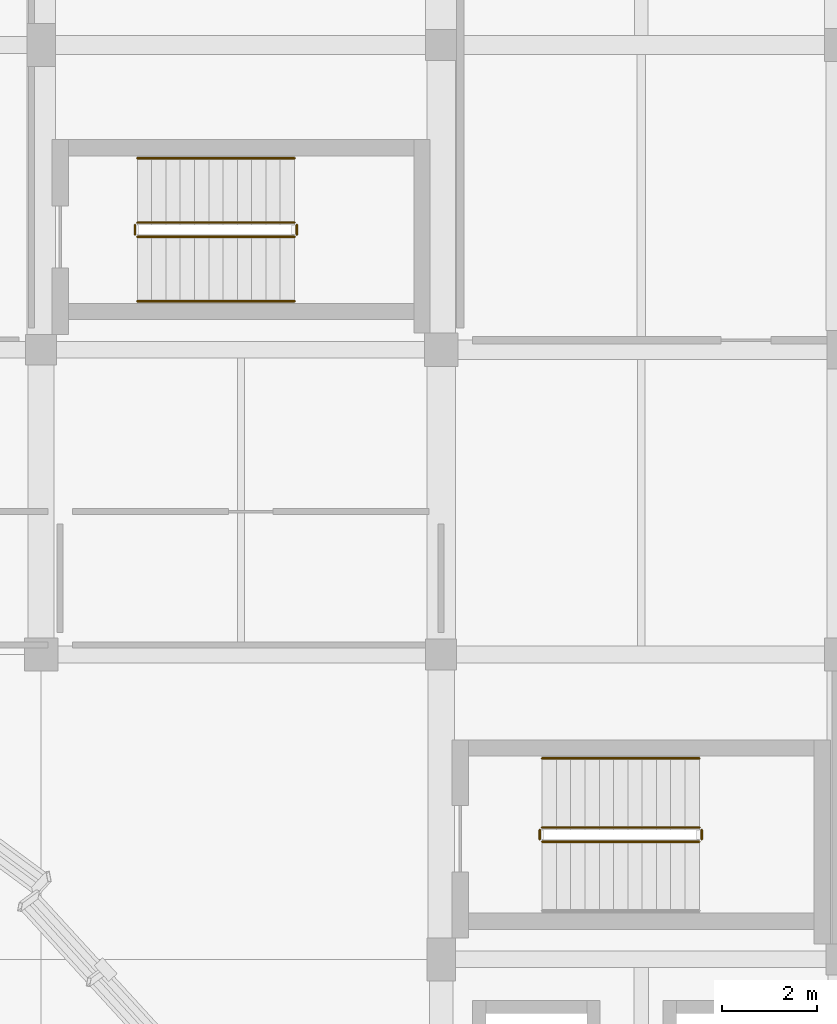
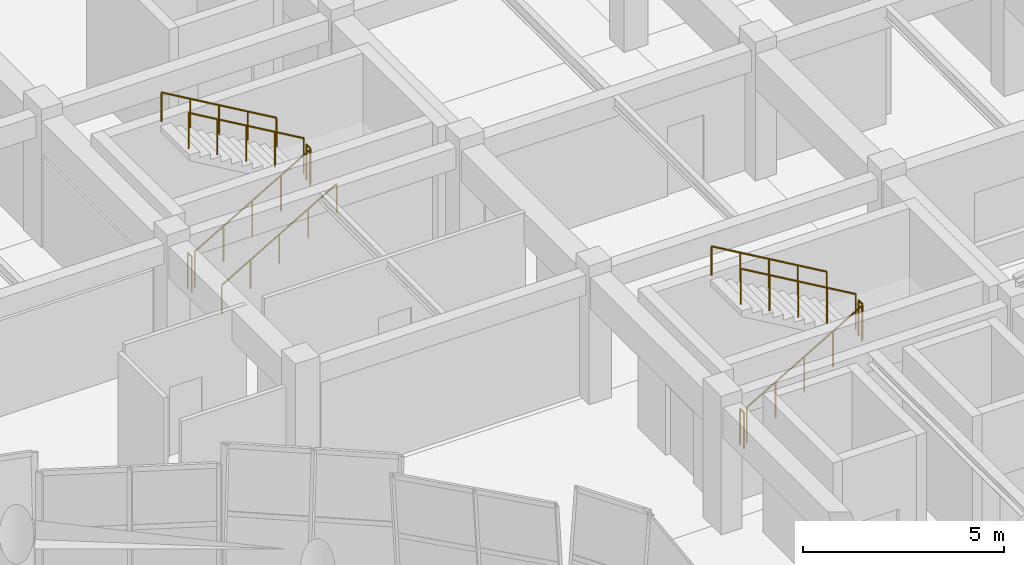
# One storey, part 73 of 74: 11 railings.
"""IFC4 building model written with IfcOpenShell, lengths in metres."""

from ifc_helpers import new_model, si_unit, direction, frame, origin, origin_2d, place, context, subcontext, project, spatial, circle, extrude, material, type_object, element, save


model = new_model("IFC4")

# Units and contexts
model_context = context("Model", 3, precision=1e-05, world=origin(), true_north=direction((0.0, 1.0)))
body_context = subcontext(model_context, "Body", "Model", "MODEL_VIEW")
ifc_project = project(units=[si_unit("LENGTHUNIT", "METRE"), si_unit("AREAUNIT", "SQUARE_METRE"), si_unit("VOLUMEUNIT", "CUBIC_METRE"), si_unit("PLANEANGLEUNIT", "RADIAN"), si_unit("MASSUNIT", "GRAM", prefix="KILO")], contexts=[model_context])

# Site, building, storey
site_placement = place(None, origin())
site = spatial("IfcSite", under=ifc_project, at=site_placement, CompositionType="ELEMENT")
building_placement = place(site_placement, origin())
building = spatial("IfcBuilding", under=site, at=building_placement, Name="Korsvaeld Concert Hall", CompositionType="ELEMENT")
storey_placement = place(building_placement, frame((0.0, 0.0, 9.0)))
storey = spatial("IfcBuildingStorey", under=building, at=storey_placement, Name="L02", CompositionType="ELEMENT", Elevation=9.0)

# Railings
ifc_material_1 = material(Name="Powder-coated steel and bronze stair guardrail", Category="steel")
railing_type_1 = type_object("IfcRailingType", Name="RL-STAIR-GUARD-120", PredefinedType="GUARDRAIL", material=ifc_material_1)
railing_1_placement = place(storey_placement, frame((111.320068359375, 79.27001953125, 0.175048828125)))
element("IfcRailing", 1, at=railing_1_placement, inside=storey, type_object=railing_type_1, Name="L02 ST-K2 stair guard 1", PredefinedType="GUARDRAIL", context=body_context, shape_type="SweptSolid", body=[
    extrude(circle(Radius=0.02392578125, at=origin_2d()), frame((0.0, 0.0, 1.076171875), z_axis=(0.863776583165, 0.0, 0.503874998761), x_axis=(0.0, 1.0, 0.0)), (0.0, 0.0, 1.0), 3.820556640625),
    extrude(circle(Radius=0.02099609375, at=origin_2d()), origin(), (0.0, 0.0, 1.0), 1.052001953125),
    extrude(circle(Radius=0.02099609375, at=origin_2d()), frame((0.824951171875, 0.0, 0.481201171875)), (0.0, 0.0, 1.0), 1.052001953125),
    extrude(circle(Radius=0.02099609375, at=origin_2d()), frame((1.64990234375, 0.0, 0.96240234375)), (0.0, 0.0, 1.0), 1.052001953125),
    extrude(circle(Radius=0.02099609375, at=origin_2d()), frame((2.47509765625, 0.0, 1.44384765625)), (0.0, 0.0, 1.0), 1.052001953125),
    extrude(circle(Radius=0.02099609375, at=origin_2d()), frame((3.300048828125, 0.0, 1.925048828125)), (0.0, 0.0, 1.0), 1.052001953125),
])
railing_2_placement = place(storey_placement, frame((114.669921875, 79.320068359375, 2.10009765625)))
element("IfcRailing", 2, at=railing_2_placement, inside=storey, type_object=railing_type_1, Name="L02 ST-K2 stair guard 2", PredefinedType="GUARDRAIL", context=body_context, shape_type="SweptSolid", body=[
    extrude(circle(Radius=0.02392578125, at=origin_2d()), frame((0.0, 0.0, 1.076171875), z_axis=(0.0, 1.0, 0.0), x_axis=(-1.0, 0.0, 0.0)), (0.0, 0.0, 1.0), 0.199951171875),
    extrude(circle(Radius=0.02099609375, at=origin_2d()), origin(), (0.0, 0.0, 1.0), 1.052001953125),
    extrude(circle(Radius=0.02099609375, at=origin_2d()), frame((0.0, 0.199951171875, 0.0)), (0.0, 0.0, 1.0), 1.052001953125),
])
railing_3_placement = place(storey_placement, frame((114.6201171875, 79.570068359375, 2.27490234375)))
element("IfcRailing", 3, at=railing_3_placement, inside=storey, type_object=railing_type_1, Name="L02 ST-K2 stair guard 3", PredefinedType="GUARDRAIL", context=body_context, shape_type="SweptSolid", body=[
    extrude(circle(Radius=0.02392578125, at=origin_2d()), frame((0.0, 0.0, 1.076171875), z_axis=(-0.863776583165, 0.0, 0.503874998761), x_axis=(0.0, -1.0, 0.0)), (0.0, 0.0, 1.0), 3.820556640625),
    extrude(circle(Radius=0.02099609375, at=origin_2d()), origin(), (0.0, 0.0, 1.0), 1.052001953125),
    extrude(circle(Radius=0.02099609375, at=origin_2d()), frame((-0.824951171875, 0.0, 0.481201171875)), (0.0, 0.0, 1.0), 1.052001953125),
    extrude(circle(Radius=0.02099609375, at=origin_2d()), frame((-1.64990234375, 0.0, 0.96240234375)), (0.0, 0.0, 1.0), 1.052001953125),
    extrude(circle(Radius=0.02099609375, at=origin_2d()), frame((-2.47509765625, 0.0, 1.44384765625)), (0.0, 0.0, 1.0), 1.052001953125),
    extrude(circle(Radius=0.02099609375, at=origin_2d()), frame((-3.300048828125, 0.0, 1.925048828125)), (0.0, 0.0, 1.0), 1.052001953125),
])
railing_4_placement = place(storey_placement, frame((111.27001953125, 79.320068359375, 0.0)))
element("IfcRailing", 4, at=railing_4_placement, inside=storey, type_object=railing_type_1, Name="L02 ST-K2 stair guard 4", PredefinedType="GUARDRAIL", context=body_context, shape_type="SweptSolid", body=[
    extrude(circle(Radius=0.02392578125, at=origin_2d()), frame((0.0, 0.0, 1.076171875), z_axis=(0.0, 1.0, 0.0), x_axis=(-1.0, 0.0, 0.0)), (0.0, 0.0, 1.0), 0.199951171875),
    extrude(circle(Radius=0.02099609375, at=origin_2d()), origin(), (0.0, 0.0, 1.0), 1.052001953125),
    extrude(circle(Radius=0.02099609375, at=origin_2d()), frame((0.0, 0.199951171875, 0.0)), (0.0, 0.0, 1.0), 1.052001953125),
])
railing_5_placement = place(storey_placement, frame((102.820068359375, 91.969970703125, 0.175048828125)))
element("IfcRailing", 5, at=railing_5_placement, inside=storey, type_object=railing_type_1, Name="L02 ST-K6 stair guard 1", PredefinedType="GUARDRAIL", context=body_context, shape_type="SweptSolid", body=[
    extrude(circle(Radius=0.02392578125, at=origin_2d()), frame((0.0, 0.0, 1.076171875), z_axis=(0.863776583165, 0.0, 0.503874998761), x_axis=(0.0, 1.0, 0.0)), (0.0, 0.0, 1.0), 3.820556640625),
    extrude(circle(Radius=0.02099609375, at=origin_2d()), origin(), (0.0, 0.0, 1.0), 1.052001953125),
    extrude(circle(Radius=0.02099609375, at=origin_2d()), frame((0.824951171875, 0.0, 0.481201171875)), (0.0, 0.0, 1.0), 1.052001953125),
    extrude(circle(Radius=0.02099609375, at=origin_2d()), frame((1.64990234375, 0.0, 0.96240234375)), (0.0, 0.0, 1.0), 1.052001953125),
    extrude(circle(Radius=0.02099609375, at=origin_2d()), frame((2.47509765625, 0.0, 1.44384765625)), (0.0, 0.0, 1.0), 1.052001953125),
    extrude(circle(Radius=0.02099609375, at=origin_2d()), frame((3.300048828125, 0.0, 1.925048828125)), (0.0, 0.0, 1.0), 1.052001953125),
])
railing_6_placement = place(storey_placement, frame((106.169921875, 92.02001953125, 2.10009765625)))
element("IfcRailing", 6, at=railing_6_placement, inside=storey, type_object=railing_type_1, Name="L02 ST-K6 stair guard 2", PredefinedType="GUARDRAIL", context=body_context, shape_type="SweptSolid", body=[
    extrude(circle(Radius=0.02392578125, at=origin_2d()), frame((0.0, 0.0, 1.076171875), z_axis=(0.0, 1.0, 0.0), x_axis=(-1.0, 0.0, 0.0)), (0.0, 0.0, 1.0), 0.199951171875),
    extrude(circle(Radius=0.02099609375, at=origin_2d()), origin(), (0.0, 0.0, 1.0), 1.052001953125),
    extrude(circle(Radius=0.02099609375, at=origin_2d()), frame((0.0, 0.199951171875, 0.0)), (0.0, 0.0, 1.0), 1.052001953125),
])
railing_7_placement = place(storey_placement, frame((106.1201171875, 92.27001953125, 2.27490234375)))
element("IfcRailing", 7, at=railing_7_placement, inside=storey, type_object=railing_type_1, Name="L02 ST-K6 stair guard 3", PredefinedType="GUARDRAIL", context=body_context, shape_type="SweptSolid", body=[
    extrude(circle(Radius=0.02392578125, at=origin_2d()), frame((0.0, 0.0, 1.076171875), z_axis=(-0.863776583165, 0.0, 0.503874998761), x_axis=(0.0, -1.0, 0.0)), (0.0, 0.0, 1.0), 3.820556640625),
    extrude(circle(Radius=0.02099609375, at=origin_2d()), origin(), (0.0, 0.0, 1.0), 1.052001953125),
    extrude(circle(Radius=0.02099609375, at=origin_2d()), frame((-0.824951171875, 0.0, 0.481201171875)), (0.0, 0.0, 1.0), 1.052001953125),
    extrude(circle(Radius=0.02099609375, at=origin_2d()), frame((-1.64990234375, 0.0, 0.96240234375)), (0.0, 0.0, 1.0), 1.052001953125),
    extrude(circle(Radius=0.02099609375, at=origin_2d()), frame((-2.47509765625, 0.0, 1.44384765625)), (0.0, 0.0, 1.0), 1.052001953125),
    extrude(circle(Radius=0.02099609375, at=origin_2d()), frame((-3.300048828125, 0.0, 1.925048828125)), (0.0, 0.0, 1.0), 1.052001953125),
])
railing_8_placement = place(storey_placement, frame((102.77001953125, 92.02001953125, 0.0)))
element("IfcRailing", 8, at=railing_8_placement, inside=storey, type_object=railing_type_1, Name="L02 ST-K6 stair guard 4", PredefinedType="GUARDRAIL", context=body_context, shape_type="SweptSolid", body=[
    extrude(circle(Radius=0.02392578125, at=origin_2d()), frame((0.0, 0.0, 1.076171875), z_axis=(0.0, 1.0, 0.0), x_axis=(-1.0, 0.0, 0.0)), (0.0, 0.0, 1.0), 0.199951171875),
    extrude(circle(Radius=0.02099609375, at=origin_2d()), origin(), (0.0, 0.0, 1.0), 1.052001953125),
    extrude(circle(Radius=0.02099609375, at=origin_2d()), frame((0.0, 0.199951171875, 0.0)), (0.0, 0.0, 1.0), 1.052001953125),
])
ifc_material_2 = material(Name="European oak and bronze stair handrail")
railing_type_2 = type_object("IfcRailingType", Name="RL-STAIR-HAND-90", PredefinedType="HANDRAIL", material=ifc_material_2)
railing_9_placement = place(storey_placement, frame((114.6201171875, 81.02001953125, 2.27490234375)))
element("IfcRailing", 9, at=railing_9_placement, inside=storey, type_object=railing_type_2, Name="L02 ST-K2 stair handrail 2", PredefinedType="HANDRAIL", context=body_context, shape_type="SweptSolid", body=[
    extrude(circle(Radius=0.02392578125, at=origin_2d()), frame((0.0, 0.0, 0.8759765625), z_axis=(-0.863776583165, 0.0, 0.503874998761), x_axis=(0.0, -1.0, 0.0)), (0.0, 0.0, 1.0), 3.820556640625),
    extrude(circle(Radius=0.02099609375, at=origin_2d()), origin(), (0.0, 0.0, 1.0), 0.851806640625),
    extrude(circle(Radius=0.02099609375, at=origin_2d()), frame((-0.824951171875, 0.0, 0.481201171875)), (0.0, 0.0, 1.0), 0.851806640625),
    extrude(circle(Radius=0.02099609375, at=origin_2d()), frame((-1.64990234375, 0.0, 0.96240234375)), (0.0, 0.0, 1.0), 0.851806640625),
    extrude(circle(Radius=0.02099609375, at=origin_2d()), frame((-2.47509765625, 0.0, 1.44384765625)), (0.0, 0.0, 1.0), 0.851806640625),
    extrude(circle(Radius=0.02099609375, at=origin_2d()), frame((-3.300048828125, 0.0, 1.925048828125)), (0.0, 0.0, 1.0), 0.851806640625),
])
railing_10_placement = place(storey_placement, frame((102.820068359375, 90.6201171875, 0.175048828125)))
element("IfcRailing", 10, at=railing_10_placement, inside=storey, type_object=railing_type_2, Name="L02 ST-K6 stair handrail 1", PredefinedType="HANDRAIL", context=body_context, shape_type="SweptSolid", body=[
    extrude(circle(Radius=0.02392578125, at=origin_2d()), frame((0.0, 0.0, 0.8759765625), z_axis=(0.863776583165, 0.0, 0.503874998761), x_axis=(0.0, 1.0, 0.0)), (0.0, 0.0, 1.0), 3.820556640625),
    extrude(circle(Radius=0.02099609375, at=origin_2d()), origin(), (0.0, 0.0, 1.0), 0.851806640625),
    extrude(circle(Radius=0.02099609375, at=origin_2d()), frame((0.824951171875, 0.0, 0.481201171875)), (0.0, 0.0, 1.0), 0.851806640625),
    extrude(circle(Radius=0.02099609375, at=origin_2d()), frame((1.64990234375, 0.0, 0.96240234375)), (0.0, 0.0, 1.0), 0.851806640625),
    extrude(circle(Radius=0.02099609375, at=origin_2d()), frame((2.47509765625, 0.0, 1.44384765625)), (0.0, 0.0, 1.0), 0.851806640625),
    extrude(circle(Radius=0.02099609375, at=origin_2d()), frame((3.300048828125, 0.0, 1.925048828125)), (0.0, 0.0, 1.0), 0.851806640625),
])
railing_11_placement = place(storey_placement, frame((106.1201171875, 93.6201171875, 2.27490234375)))
element("IfcRailing", 11, at=railing_11_placement, inside=storey, type_object=railing_type_2, Name="L02 ST-K6 stair handrail 2", PredefinedType="HANDRAIL", context=body_context, shape_type="SweptSolid", body=[
    extrude(circle(Radius=0.02392578125, at=origin_2d()), frame((0.0, 0.0, 0.8759765625), z_axis=(-0.863776583165, 0.0, 0.503874998761), x_axis=(0.0, -1.0, 0.0)), (0.0, 0.0, 1.0), 3.820556640625),
    extrude(circle(Radius=0.02099609375, at=origin_2d()), origin(), (0.0, 0.0, 1.0), 0.851806640625),
    extrude(circle(Radius=0.02099609375, at=origin_2d()), frame((-0.824951171875, 0.0, 0.481201171875)), (0.0, 0.0, 1.0), 0.851806640625),
    extrude(circle(Radius=0.02099609375, at=origin_2d()), frame((-1.64990234375, 0.0, 0.96240234375)), (0.0, 0.0, 1.0), 0.851806640625),
    extrude(circle(Radius=0.02099609375, at=origin_2d()), frame((-2.47509765625, 0.0, 1.44384765625)), (0.0, 0.0, 1.0), 0.851806640625),
    extrude(circle(Radius=0.02099609375, at=origin_2d()), frame((-3.300048828125, 0.0, 1.925048828125)), (0.0, 0.0, 1.0), 0.851806640625),
])

save(model, "model.ifc")
